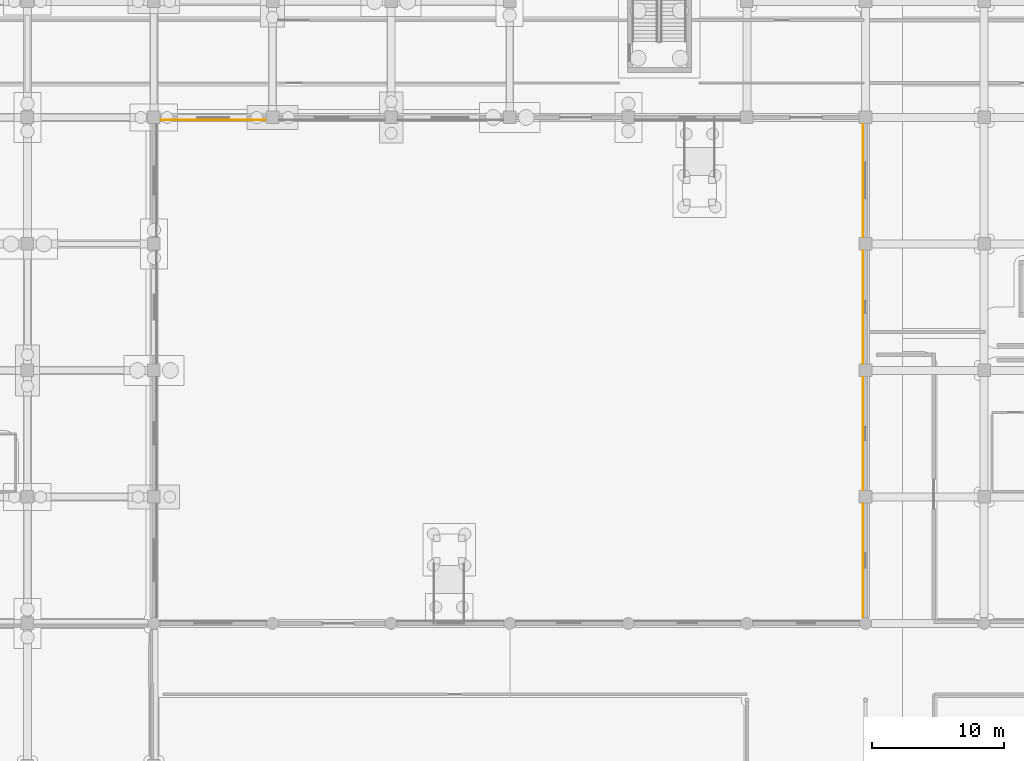
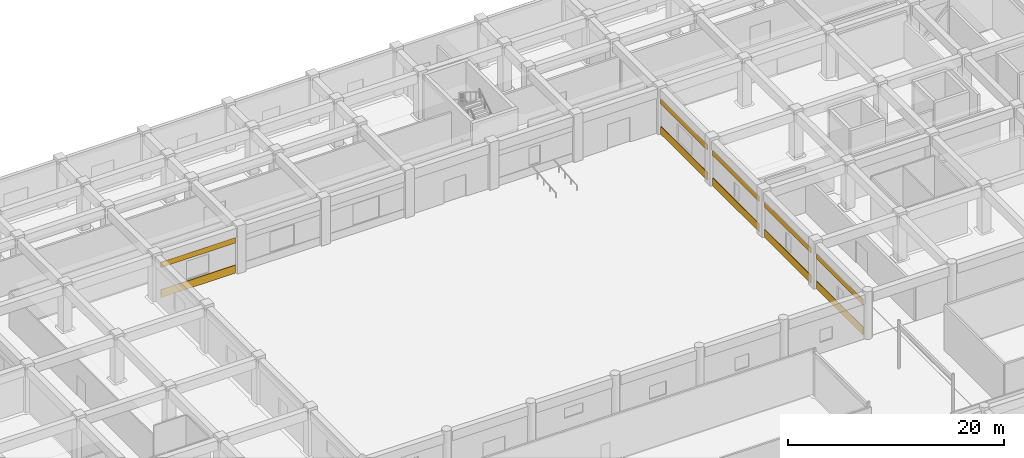
# One storey, part 65 of 74: 10 coverings.
"""IFC4 building model written with IfcOpenShell, lengths in metres."""

from ifc_helpers import new_model, si_unit, direction, frame, origin, origin_2d, place, context, subcontext, project, spatial, rectangle, extrude, material, layer, layer_set, type_object, element, save


model = new_model("IFC4")

# Units and contexts
model_context = context("Model", 3, precision=1e-05, world=origin(), true_north=direction((0.0, 1.0)))
body_context = subcontext(model_context, "Body", "Model", "MODEL_VIEW")
ifc_project = project(units=[si_unit("LENGTHUNIT", "METRE"), si_unit("AREAUNIT", "SQUARE_METRE"), si_unit("VOLUMEUNIT", "CUBIC_METRE"), si_unit("PLANEANGLEUNIT", "RADIAN"), si_unit("MASSUNIT", "GRAM", prefix="KILO")], contexts=[model_context])

# Site, building, storey
site_placement = place(None, origin())
site = spatial("IfcSite", under=ifc_project, at=site_placement, CompositionType="ELEMENT")
building_placement = place(site_placement, origin())
building = spatial("IfcBuilding", under=site, at=building_placement, Name="Cendralis Terraced Arcade", CompositionType="ELEMENT")
storey_placement = place(building_placement, origin())
storey = spatial("IfcBuildingStorey", under=building, at=storey_placement, Name="L00", CompositionType="ELEMENT", Elevation=0.0)

# Coverings
ifc_material = material(Name="Precast concrete f'c 40 MPa", Category="concrete")
ifc_layer = layer(ifc_material, 0.06494140625, Name="COV-CLAD-GRC-65")
ifc_layer_set = layer_set([ifc_layer], Name="Precast concrete f'c 40 MPa")
covering_type = type_object("IfcCoveringType", Name="COV-CLAD-GRC-65", PredefinedType="CLADDING", material=ifc_layer_set)
covering_1_placement = place(storey_placement, frame((71.699951171875, 98.2099609375, 0.0), z_axis=(0.0, 0.0, 1.0), x_axis=(-1.0, 0.0, 0.0)))
element("IfcCovering", 1, at=covering_1_placement, inside=storey, type_object=covering_type, Name="Banded Precast Stone Spandrel Cladding L00-081", PredefinedType="CLADDING", context=body_context, shape_type="SweptSolid", body=[
    extrude(rectangle(XDim=7.993896484375, YDim=0.06494140625, at=origin_2d()), origin(), (0.0, 0.0, 1.0), 0.89990234375),
])
covering_2_placement = place(storey_placement, frame((71.699951171875, 98.2099609375, 3.409912109375), z_axis=(0.0, 0.0, 1.0), x_axis=(-1.0, 0.0, 0.0)))
element("IfcCovering", 2, at=covering_2_placement, inside=storey, type_object=covering_type, Name="Banded Precast Stone Lintel Cladding L00-082", PredefinedType="CLADDING", context=body_context, shape_type="SweptSolid", body=[
    extrude(rectangle(XDim=7.993896484375, YDim=0.06494140625, at=origin_2d()), origin(), (0.0, 0.0, 1.0), 0.60009765625),
])
covering_3_placement = place(storey_placement, frame((121.010009765625, 64.78759765625, 0.0), z_axis=(0.0, 0.0, 1.0), x_axis=(0.0, 1.0, 0.0)))
element("IfcCovering", 3, at=covering_3_placement, inside=storey, type_object=covering_type, Name="Banded Precast Stone Spandrel Cladding L00-101", PredefinedType="CLADDING", context=body_context, shape_type="SweptSolid", body=[
    extrude(rectangle(XDim=8.618896484375, YDim=0.06494140625, at=origin_2d()), origin(), (0.0, 0.0, 1.0), 0.89990234375),
])
covering_4_placement = place(storey_placement, frame((121.010009765625, 64.78759765625, 3.409912109375), z_axis=(0.0, 0.0, 1.0), x_axis=(0.0, 1.0, 0.0)))
element("IfcCovering", 4, at=covering_4_placement, inside=storey, type_object=covering_type, Name="Banded Precast Stone Lintel Cladding L00-102", PredefinedType="CLADDING", context=body_context, shape_type="SweptSolid", body=[
    extrude(rectangle(XDim=8.618896484375, YDim=0.06494140625, at=origin_2d()), origin(), (0.0, 0.0, 1.0), 0.60009765625),
])
covering_5_placement = place(storey_placement, frame((121.010009765625, 74.39990234375, 0.0), z_axis=(0.0, 0.0, 1.0), x_axis=(0.0, 1.0, 0.0)))
element("IfcCovering", 5, at=covering_5_placement, inside=storey, type_object=covering_type, Name="Banded Precast Stone Spandrel Cladding L00-103", PredefinedType="CLADDING", context=body_context, shape_type="SweptSolid", body=[
    extrude(rectangle(XDim=8.593994140625, YDim=0.06494140625, at=origin_2d()), origin(), (0.0, 0.0, 1.0), 0.89990234375),
])
covering_6_placement = place(storey_placement, frame((121.010009765625, 74.39990234375, 3.409912109375), z_axis=(0.0, 0.0, 1.0), x_axis=(0.0, 1.0, 0.0)))
element("IfcCovering", 6, at=covering_6_placement, inside=storey, type_object=covering_type, Name="Banded Precast Stone Lintel Cladding L00-104", PredefinedType="CLADDING", context=body_context, shape_type="SweptSolid", body=[
    extrude(rectangle(XDim=8.593994140625, YDim=0.06494140625, at=origin_2d()), origin(), (0.0, 0.0, 1.0), 0.60009765625),
])
covering_7_placement = place(storey_placement, frame((121.010009765625, 84.0, 0.0), z_axis=(0.0, 0.0, 1.0), x_axis=(0.0, 1.0, 0.0)))
element("IfcCovering", 7, at=covering_7_placement, inside=storey, type_object=covering_type, Name="Banded Precast Stone Spandrel Cladding L00-105", PredefinedType="CLADDING", context=body_context, shape_type="SweptSolid", body=[
    extrude(rectangle(XDim=8.593994140625, YDim=0.06494140625, at=origin_2d()), origin(), (0.0, 0.0, 1.0), 0.89990234375),
])
covering_8_placement = place(storey_placement, frame((121.010009765625, 84.0, 3.409912109375), z_axis=(0.0, 0.0, 1.0), x_axis=(0.0, 1.0, 0.0)))
element("IfcCovering", 8, at=covering_8_placement, inside=storey, type_object=covering_type, Name="Banded Precast Stone Lintel Cladding L00-106", PredefinedType="CLADDING", context=body_context, shape_type="SweptSolid", body=[
    extrude(rectangle(XDim=8.593994140625, YDim=0.06494140625, at=origin_2d()), origin(), (0.0, 0.0, 1.0), 0.60009765625),
])
covering_9_placement = place(storey_placement, frame((121.010009765625, 93.60009765625, 0.0), z_axis=(0.0, 0.0, 1.0), x_axis=(0.0, 1.0, 0.0)))
element("IfcCovering", 9, at=covering_9_placement, inside=storey, type_object=covering_type, Name="Banded Precast Stone Spandrel Cladding L00-107", PredefinedType="CLADDING", context=body_context, shape_type="SweptSolid", body=[
    extrude(rectangle(XDim=8.593994140625, YDim=0.06494140625, at=origin_2d()), origin(), (0.0, 0.0, 1.0), 0.89990234375),
])
covering_10_placement = place(storey_placement, frame((121.010009765625, 93.60009765625, 3.409912109375), z_axis=(0.0, 0.0, 1.0), x_axis=(0.0, 1.0, 0.0)))
element("IfcCovering", 10, at=covering_10_placement, inside=storey, type_object=covering_type, Name="Banded Precast Stone Lintel Cladding L00-108", PredefinedType="CLADDING", context=body_context, shape_type="SweptSolid", body=[
    extrude(rectangle(XDim=8.593994140625, YDim=0.06494140625, at=origin_2d()), origin(), (0.0, 0.0, 1.0), 0.60009765625),
])

save(model, "model.ifc")
